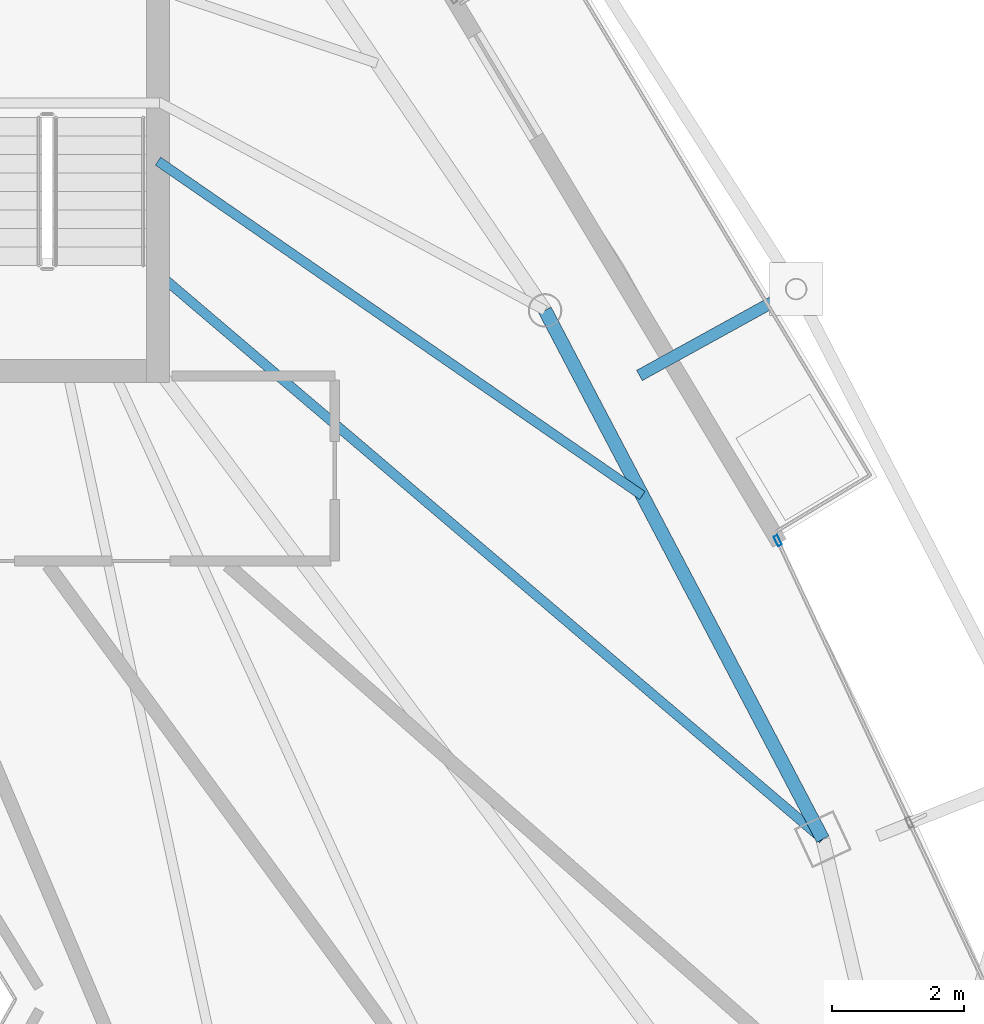
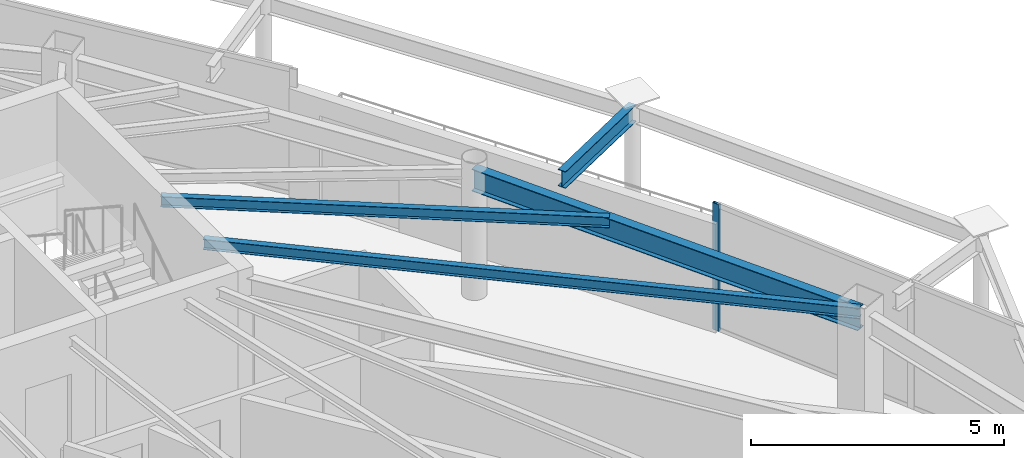
# One storey, part 17 of 28: 4 beams, 1 member, 1 element without a shape of its own.
"""IFC4 building model written with IfcOpenShell, lengths in metres."""

from ifc_helpers import new_model, si_unit, direction, frame, origin, origin_2d, place, context, subcontext, project, spatial, hollow_rectangle, i_section, extrude, material, layer, layer_set, material_profile, profile_set, type_object, element, aggregate, save


model = new_model("IFC4")

# Units and contexts
model_context = context("Model", 3, precision=1e-05, world=origin(), true_north=direction((0.0, 1.0)))
body_context = subcontext(model_context, "Body", "Model", "MODEL_VIEW")
ifc_project = project(units=[si_unit("LENGTHUNIT", "METRE"), si_unit("AREAUNIT", "SQUARE_METRE"), si_unit("VOLUMEUNIT", "CUBIC_METRE"), si_unit("PLANEANGLEUNIT", "RADIAN"), si_unit("MASSUNIT", "GRAM", prefix="KILO")], contexts=[model_context])

# Site, building, storey
site_placement = place(None, origin())
site = spatial("IfcSite", under=ifc_project, at=site_placement, CompositionType="ELEMENT")
building_placement = place(site_placement, origin())
building = spatial("IfcBuilding", under=site, at=building_placement, Name="Orvanel Arch Residences", CompositionType="ELEMENT")
storey_placement = place(building_placement, frame((0.0, 0.0, 266.75)))
storey = spatial("IfcBuildingStorey", under=building, at=storey_placement, Name="L76", CompositionType="ELEMENT", Elevation=266.75)

# Beams
ifc_material_1 = material(Name="Structural steel AS/NZS 3679.1 Grade 300 (300 MPa)", Category="steel")
ifc_material_profile_1 = material_profile(ifc_material_1, i_section(OverallWidth=0.14599609375, OverallDepth=0.251953125, WebThickness=0.006103515625, FlangeThickness=0.008544921875, at=origin_2d()), Name="250UB31.4")
ifc_profile_set_1 = profile_set([ifc_material_profile_1], Name="Structural steel AS/NZS 3679.1 Grade 300 (300 MPa)")
beam_type_1 = type_object("IfcBeamType", Name="BJ-250UB", PredefinedType="JOIST", material=ifc_profile_set_1)
beam_1_placement = place(storey_placement, frame((39.574951171875, 28.199951171875, 2.93408203125), z_axis=(0.761622669031, -0.64802076357, 0.0), x_axis=(0.64802076357, 0.761622669031, 0.0)))
element("IfcBeam", 1, at=beam_1_placement, inside=storey, type_object=beam_type_1, Name="L76 E Wing Floor Joist", PredefinedType="JOIST", context=body_context, shape_type="SweptSolid", body=[
    extrude(i_section(OverallWidth=0.14599609375, OverallDepth=0.251953125, WebThickness=0.006103515625, FlangeThickness=0.008544921875, at=origin_2d()), origin(), (0.0, 0.0, 1.0), 13.2060546875),
])
beam_2_placement = place(storey_placement, frame((39.574951171875, 29.89990234375, 2.93408203125), z_axis=(0.822917046387, -0.568161539323, 0.0), x_axis=(0.568161539323, 0.822917046387, 0.0)))
element("IfcBeam", 2, at=beam_2_placement, inside=storey, type_object=beam_type_1, Name="L76 CTE Wing Floor Joist", PredefinedType="JOIST", context=body_context, shape_type="SweptSolid", body=[
    extrude(i_section(OverallWidth=0.14599609375, OverallDepth=0.251953125, WebThickness=0.006103515625, FlangeThickness=0.008544921875, at=origin_2d()), origin(), (0.0, 0.0, 1.0), 8.90380859375),
])

# Curtain wall, member
ifc_material_2 = material(Name="Bronze-anodised aluminium AA6063-T6", Category="aluminium")
ifc_layer = layer(ifc_material_2, 0.175048828125)
ifc_layer_set = layer_set([ifc_layer], Name="Bronze-anodised aluminium AA6063-T6")
curtain_wall_type = type_object("IfcCurtainWallType", Name="CW4-HI-SYS", PredefinedType="NOTDEFINED", material=ifc_layer_set)
curtain_wall_placement = place(storey_placement, origin())
curtain_wall = element("IfcCurtainWall", 3, at=curtain_wall_placement, inside=storey, type_object=curtain_wall_type, Name="L76 CW4-HI-SYS Unitised Curtain Wall", PredefinedType="NOTDEFINED")
ifc_material_profile_2 = material_profile(ifc_material_2, hollow_rectangle(XDim=0.06494140625, YDim=0.159912109375, WallThickness=0.00390625, at=origin_2d()), Name="ALU160x65x4")
ifc_profile_set_2 = profile_set([ifc_material_profile_2], Name="Bronze-anodised aluminium AA6063-T6")
member_type = type_object("IfcMemberType", Name="MUL-160x65", PredefinedType="MULLION", material=ifc_profile_set_2)
member_placement = place(storey_placement, frame((48.95166015625, 24.158447265625, 0.0), z_axis=(0.0, 0.0, 1.0), x_axis=(-0.906094149888, -0.423076106083, 0.0)))
member = element("IfcMember", 4, at=member_placement, type_object=member_type, Name="CW-S4 mullion 3", PredefinedType="MULLION", context=body_context, shape_type="SweptSolid", body=[
    extrude(hollow_rectangle(XDim=0.06494140625, YDim=0.159912109375, WallThickness=0.00390625, at=origin_2d()), origin(), (0.0, 0.0, 1.0), 3.06005859375),
])
aggregate(curtain_wall, [member])

# Beams
ifc_material_profile_3 = material_profile(ifc_material_1, i_section(OverallWidth=0.177978515625, OverallDepth=0.406005859375, WebThickness=0.0078125, FlangeThickness=0.0126953125, at=origin_2d()), Name="410UB59.7")
ifc_profile_set_3 = profile_set([ifc_material_profile_3], Name="Structural steel AS/NZS 3679.1 Grade 300 (300 MPa)")
beam_type_2 = type_object("IfcBeamType", Name="OB-410UB-EXT", PredefinedType="SPANDREL", material=ifc_profile_set_3)
beam_3_placement = place(storey_placement, frame((46.85888671875, 26.656982421875, 2.85693359375), z_axis=(0.875743343791, 0.482776962794, 0.0), x_axis=(-0.482776962794, 0.875743343791, 0.0)))
element("IfcBeam", 5, at=beam_3_placement, inside=storey, type_object=beam_type_2, Name="L76 Outer Frame Radial Tie Beam 10", PredefinedType="SPANDREL", context=body_context, shape_type="SweptSolid", body=[
    extrude(i_section(OverallWidth=0.177978515625, OverallDepth=0.406005859375, WebThickness=0.0078125, FlangeThickness=0.0126953125, at=origin_2d()), origin(), (0.0, 0.0, 1.0), 2.70751953125),
])
ifc_material_profile_4 = material_profile(ifc_material_1, i_section(OverallWidth=0.208984375, OverallDepth=0.532958984375, WebThickness=0.01025390625, FlangeThickness=0.015625, at=origin_2d()), Name="530UB92.4")
ifc_profile_set_4 = profile_set([ifc_material_profile_4], Name="Structural steel AS/NZS 3679.1 Grade 300 (300 MPa)")
beam_type_3 = type_object("IfcBeamType", Name="SP-530UB", PredefinedType="SPANDREL", material=ifc_profile_set_4)
beam_4_placement = place(storey_placement, frame((49.633056640625, 19.64208984375, 2.79296875), z_axis=(-0.465064762793, 0.885276660942, 0.0), x_axis=(-0.885276660942, -0.465064762793, 0.0)))
element("IfcBeam", 6, at=beam_4_placement, inside=storey, type_object=beam_type_3, Name="L76 Perimeter Spandrel Beam 07", PredefinedType="SPANDREL", context=body_context, shape_type="SweptSolid", body=[
    extrude(i_section(OverallWidth=0.208984375, OverallDepth=0.532958984375, WebThickness=0.01025390625, FlangeThickness=0.015625, at=origin_2d()), origin(), (0.0, 0.0, 1.0), 9.03564453125),
])

save(model, "model.ifc")
